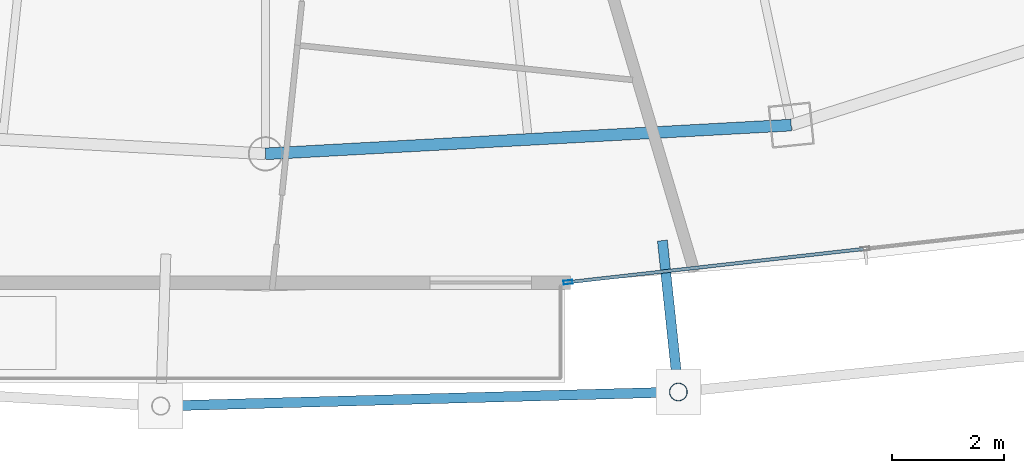
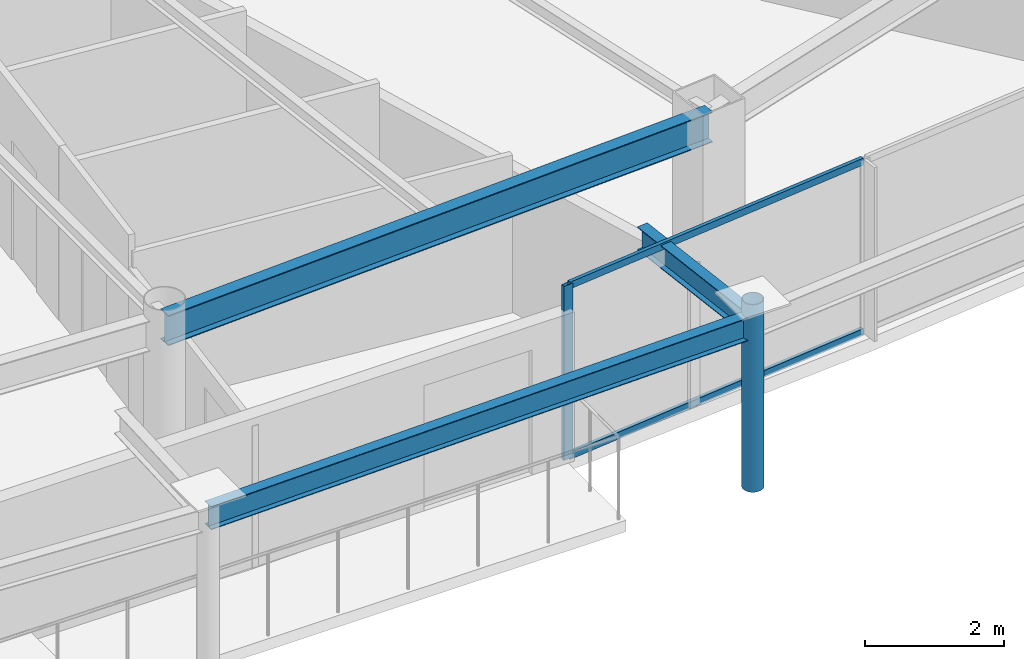
# One storey, part 9 of 34: 4 members, 3 beams, 1 element without a shape of its own.
"""IFC4 building model written with IfcOpenShell, lengths in metres."""

from ifc_helpers import new_model, si_unit, direction, frame, origin, origin_2d, place, context, subcontext, project, spatial, hollow_rectangle, hollow_circle, i_section, extrude, material, layer, layer_set, material_profile, profile_set, type_object, element, aggregate, save


model = new_model("IFC4")

# Units and contexts
model_context = context("Model", 3, precision=1e-05, world=origin(), true_north=direction((0.0, 1.0)))
body_context = subcontext(model_context, "Body", "Model", "MODEL_VIEW")
ifc_project = project(units=[si_unit("LENGTHUNIT", "METRE"), si_unit("AREAUNIT", "SQUARE_METRE"), si_unit("VOLUMEUNIT", "CUBIC_METRE"), si_unit("PLANEANGLEUNIT", "RADIAN"), si_unit("MASSUNIT", "GRAM", prefix="KILO")], contexts=[model_context])

# Site, building, storey
site_placement = place(None, origin())
site = spatial("IfcSite", under=ifc_project, at=site_placement, CompositionType="ELEMENT")
building_placement = place(site_placement, origin())
building = spatial("IfcBuilding", under=site, at=building_placement, Name="Orvanel Arch Residences", CompositionType="ELEMENT")
storey_placement = place(building_placement, frame((0.0, 0.0, 203.0)))
storey = spatial("IfcBuildingStorey", under=building, at=storey_placement, Name="L57", CompositionType="ELEMENT", Elevation=203.0)

# Curtain wall, member
ifc_material_1 = material(Name="Bronze-anodised aluminium AA6063-T6", Category="aluminium")
ifc_layer = layer(ifc_material_1, 0.175048828125)
ifc_layer_set = layer_set([ifc_layer], Name="Bronze-anodised aluminium AA6063-T6")
curtain_wall_type = type_object("IfcCurtainWallType", Name="CW4-HI-SYS", PredefinedType="NOTDEFINED", material=ifc_layer_set)
curtain_wall_placement = place(storey_placement, origin())
curtain_wall = element("IfcCurtainWall", 1, at=curtain_wall_placement, inside=storey, type_object=curtain_wall_type, Name="L57 CW4-HI-SYS Unitised Curtain Wall", PredefinedType="NOTDEFINED")
ifc_material_profile_1 = material_profile(ifc_material_1, hollow_rectangle(XDim=0.06494140625, YDim=0.159912109375, WallThickness=0.00390625, at=origin_2d()), Name="ALU160x65x4")
ifc_profile_set_1 = profile_set([ifc_material_profile_1], Name="Bronze-anodised aluminium AA6063-T6")
member_type_1 = type_object("IfcMemberType", Name="MUL-160x65", PredefinedType="MULLION", material=ifc_profile_set_1)
member_1_placement = place(storey_placement, frame((38.38134765625, 4.560546875, 0.0), z_axis=(0.0, 0.0, 1.0), x_axis=(-0.111799388547, 0.993730796907, 0.0)))
member_1 = element("IfcMember", 2, at=member_1_placement, type_object=member_type_1, Name="CW-S4 mullion 1", PredefinedType="MULLION", context=body_context, shape_type="SweptSolid", body=[
    extrude(hollow_rectangle(XDim=0.06494140625, YDim=0.159912109375, WallThickness=0.00390625, at=origin_2d()), origin(), (0.0, 0.0, 1.0), 3.06005859375),
])

# Beams
ifc_material_2 = material(Name="Structural steel AS/NZS 3679.1 Grade 300 (300 MPa)", Category="steel")
ifc_material_profile_2 = material_profile(ifc_material_2, i_section(OverallWidth=0.177978515625, OverallDepth=0.406005859375, WebThickness=0.0078125, FlangeThickness=0.0126953125, at=origin_2d()), Name="410UB59.7")
ifc_profile_set_2 = profile_set([ifc_material_profile_2], Name="Structural steel AS/NZS 3679.1 Grade 300 (300 MPa)")
beam_type_1 = type_object("IfcBeamType", Name="OB-410UB-EXT", PredefinedType="SPANDREL", material=ifc_profile_set_2)
beam_1_placement = place(storey_placement, frame((31.136962890625, 2.35791015625, 2.85693359375), z_axis=(0.999631556655, 0.027143156396, 0.0), x_axis=(-0.027143156396, 0.999631556655, 0.0)))
element("IfcBeam", 3, at=beam_1_placement, inside=storey, type_object=beam_type_1, Name="L57 Outer Perimeter Floor Ring Beam 06", PredefinedType="SPANDREL", context=body_context, shape_type="SweptSolid", body=[
    extrude(i_section(OverallWidth=0.177978515625, OverallDepth=0.406005859375, WebThickness=0.0078125, FlangeThickness=0.0126953125, at=origin_2d()), origin(), (0.0, 0.0, 1.0), 9.21044921875),
])
beam_2_placement = place(storey_placement, frame((40.06005859375, 5.301025390625, 2.85693359375), z_axis=(0.104849036165, -0.99448814956, 0.0), x_axis=(0.99448814956, 0.104849036165, 0.0)))
element("IfcBeam", 4, at=beam_2_placement, inside=storey, type_object=beam_type_1, Name="L57 Outer Frame Radial Tie Beam 07", PredefinedType="SPANDREL", context=body_context, shape_type="SweptSolid", body=[
    extrude(i_section(OverallWidth=0.177978515625, OverallDepth=0.406005859375, WebThickness=0.0078125, FlangeThickness=0.0126953125, at=origin_2d()), origin(), (0.0, 0.0, 1.0), 2.7080078125),
])
ifc_material_profile_3 = material_profile(ifc_material_2, i_section(OverallWidth=0.208984375, OverallDepth=0.532958984375, WebThickness=0.01025390625, FlangeThickness=0.015625, at=origin_2d()), Name="530UB92.4")
ifc_profile_set_3 = profile_set([ifc_material_profile_3], Name="Structural steel AS/NZS 3679.1 Grade 300 (300 MPa)")
beam_type_2 = type_object("IfcBeamType", Name="SP-530UB", PredefinedType="SPANDREL", material=ifc_profile_set_3)
beam_3_placement = place(storey_placement, frame((33.0, 6.843994140625, 2.79296875), z_axis=(0.998510315598, 0.054563262768, 0.0), x_axis=(-0.054563262768, 0.998510315598, 0.0)))
element("IfcBeam", 5, at=beam_3_placement, inside=storey, type_object=beam_type_2, Name="L57 Perimeter Spandrel Beam 04", PredefinedType="SPANDREL", context=body_context, shape_type="SweptSolid", body=[
    extrude(i_section(OverallWidth=0.208984375, OverallDepth=0.532958984375, WebThickness=0.01025390625, FlangeThickness=0.015625, at=origin_2d()), origin(), (0.0, 0.0, 1.0), 9.364990234375),
])

# Member
ifc_material_3 = material(Name="Structural steel AS/NZS 1163 C350L0 (Grade 350)", Category="steel")
ifc_material_profile_4 = material_profile(ifc_material_3, hollow_circle(Radius=0.162109375, WallThickness=0.0126953125, at=origin_2d()), Name="CHS324x12.7")
ifc_profile_set_4 = profile_set([ifc_material_profile_4], Name="Structural steel AS/NZS 1163 C350L0 (Grade 350)")
member_type_2 = type_object("IfcMemberType", Name="ST-324CHS-EXT", PredefinedType="STRUT", material=ifc_profile_set_4)
member_2_placement = place(storey_placement, frame((40.343994140625, 2.60791015625, 0.0), z_axis=(0.0, 0.0, 1.0), x_axis=(1.0, 0.0, 0.0)))
element("IfcMember", 6, at=member_2_placement, inside=storey, type_object=member_type_2, Name="L57 Outer Perimeter Frame Post 07", PredefinedType="STRUT", context=body_context, shape_type="SweptSolid", body=[
    extrude(hollow_circle(Radius=0.162109375, WallThickness=0.0126953125, at=origin_2d()), origin(), (0.0, 0.0, 1.0), 3.300048828125),
])

ifc_material_profile_5 = material_profile(ifc_material_1, hollow_rectangle(XDim=0.06005859375, YDim=0.1201171875, WallThickness=0.00341796875, at=origin_2d()), Name="ALU120x60x3.5")
ifc_profile_set_5 = profile_set([ifc_material_profile_5], Name="Bronze-anodised aluminium AA6063-T6")
member_type_3 = type_object("IfcMemberType", Name="TRN-120x60", PredefinedType="USERDEFINED", material=ifc_profile_set_5)
member_3_placement = place(storey_placement, frame((38.41357421875, 4.564208984375, 0.030029296875), z_axis=(0.993729702059, 0.111809119694, 0.0), x_axis=(-0.111809119694, 0.993729702059, 0.0)))
member_3 = element("IfcMember", 7, at=member_3_placement, type_object=member_type_3, Name="CW-S4 transom 1.1", ObjectType="TRANSOM", PredefinedType="USERDEFINED", context=body_context, shape_type="SweptSolid", body=[
    extrude(hollow_rectangle(XDim=0.06005859375, YDim=0.1201171875, WallThickness=0.00341796875, at=origin_2d()), origin(), (0.0, 0.0, 1.0), 5.25146484375),
])

member_4_placement = place(storey_placement, frame((38.41357421875, 4.564208984375, 3.030029296875), z_axis=(0.993729702059, 0.111809119694, 0.0), x_axis=(-0.111809119694, 0.993729702059, 0.0)))
member_4 = element("IfcMember", 8, at=member_4_placement, type_object=member_type_3, Name="CW-S4 transom 1.2", ObjectType="TRANSOM", PredefinedType="USERDEFINED", context=body_context, shape_type="SweptSolid", body=[
    extrude(hollow_rectangle(XDim=0.06005859375, YDim=0.1201171875, WallThickness=0.00341796875, at=origin_2d()), origin(), (0.0, 0.0, 1.0), 5.25146484375),
])

aggregate(curtain_wall, [member_1, member_3, member_4])

save(model, "model.ifc")
